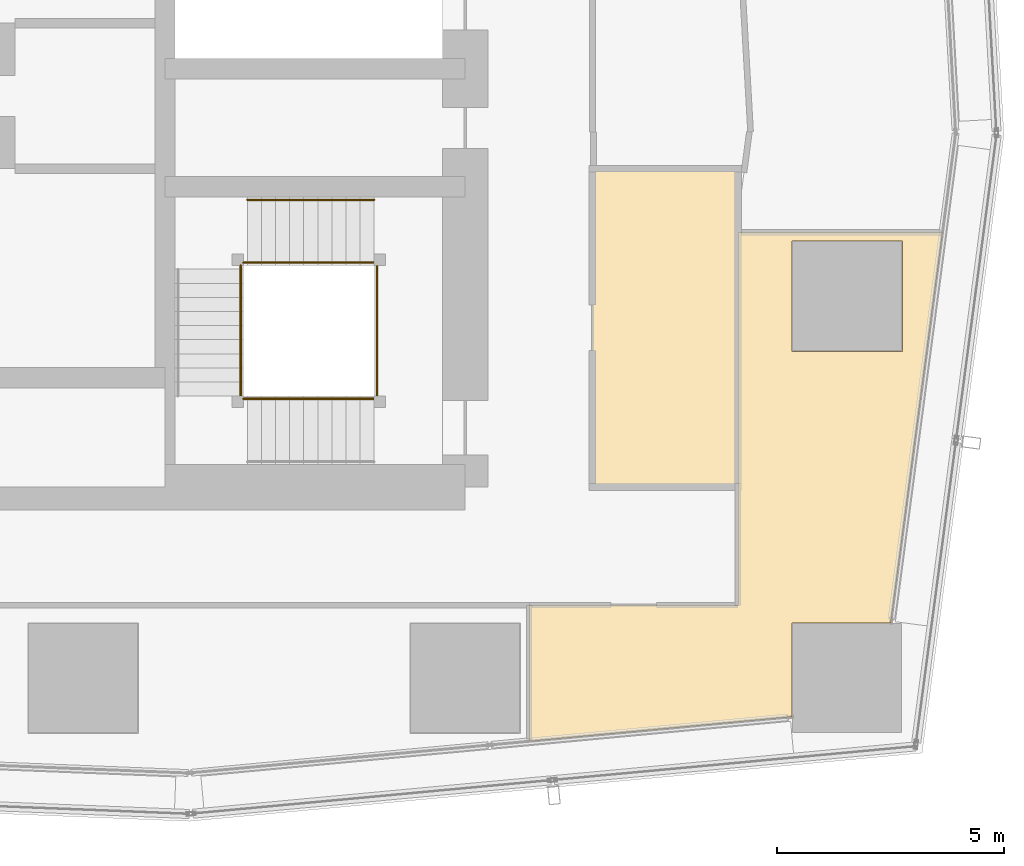
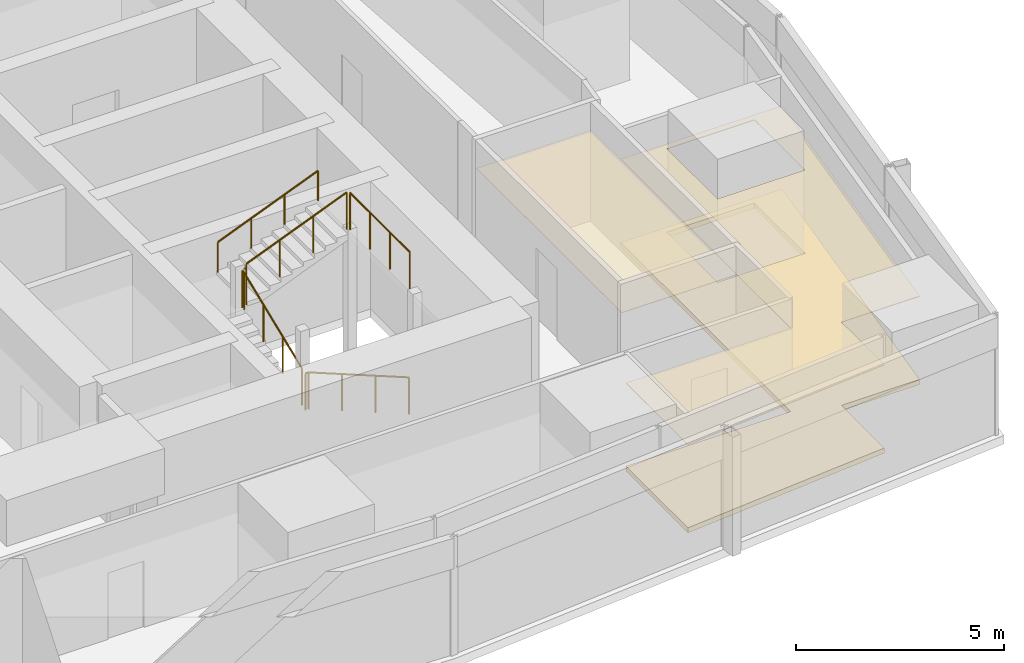
# One storey, part 35 of 37: 8 railings, 3 coverings.
"""IFC4 building model written with IfcOpenShell, lengths in metres."""

from ifc_helpers import new_model, si_unit, direction, frame, origin, origin_2d, place, context, subcontext, project, spatial, polyline, circle, outline, extrude, material, layer, layer_set, type_object, element, save


model = new_model("IFC4")

# Units and contexts
model_context = context("Model", 3, precision=1e-05, world=origin(), true_north=direction((0.0, 1.0)))
body_context = subcontext(model_context, "Body", "Model", "MODEL_VIEW")
ifc_project = project(units=[si_unit("LENGTHUNIT", "METRE"), si_unit("AREAUNIT", "SQUARE_METRE"), si_unit("VOLUMEUNIT", "CUBIC_METRE"), si_unit("PLANEANGLEUNIT", "RADIAN"), si_unit("MASSUNIT", "GRAM", prefix="KILO")], contexts=[model_context])

# Site, building, storey
site_placement = place(None, origin())
site = spatial("IfcSite", under=ifc_project, at=site_placement, CompositionType="ELEMENT")
building_placement = place(site_placement, origin())
building = spatial("IfcBuilding", under=site, at=building_placement, Name="Rekha Terrace Tower", CompositionType="ELEMENT")
storey_placement = place(building_placement, frame((0.0, 0.0, 228.949951171875)))
storey = spatial("IfcBuildingStorey", under=building, at=storey_placement, Name="L58", CompositionType="ELEMENT", Elevation=228.949951171875)

# Coverings
ifc_material_1 = material(Name="Mineral fibre tile in exposed grid", Category="finish")
ifc_layer_1 = layer(ifc_material_1, 0.02001953125)
ifc_layer_set_1 = layer_set([ifc_layer_1], Name="Mineral fibre tile in exposed grid")
covering_type_1 = type_object("IfcCoveringType", Name="CL1 600x1200 office grid ceiling", PredefinedType="CEILING", material=ifc_layer_set_1)
covering_1_placement = place(storey_placement, frame((0.0, 0.0, 2.580078125)))
element("IfcCovering", 1, at=covering_1_placement, inside=storey, type_object=covering_type_1, Name="Ceiling L58-03", PredefinedType="CEILING", context=body_context, shape_type="SweptSolid", body=[
    extrude(outline(polyline([(59.760009765625, 18.014892578125), (60.89697265625, 26.59912109375), (56.39990234375, 26.59912109375), (56.39990234375, 18.39990234375), (51.81201171875, 18.39990234375), (51.81201171875, 15.409912109375), (57.5849609375, 15.947998046875), (57.5849609375, 18.014892578125), (59.760009765625, 18.014892578125)]), holes=[polyline([(60.014892578125, 23.985107421875), (57.5849609375, 23.985107421875), (57.5849609375, 26.4150390625), (60.014892578125, 26.4150390625), (60.014892578125, 23.985107421875)])]), origin(), (0.0, 0.0, 1.0), 0.02001953125),
])
ifc_material_2 = material(Name="Fibre cement board", Category="finish")
ifc_layer_2 = layer(ifc_material_2, 0.014892578125)
ifc_layer_set_2 = layer_set([ifc_layer_2], Name="Fibre cement board")
covering_type_2 = type_object("IfcCoveringType", Name="CL2 moisture-resistant board ceiling", PredefinedType="CEILING", material=ifc_layer_set_2)
covering_2_placement = place(storey_placement, frame((0.0, 0.0, 2.5849609375)))
element("IfcCovering", 2, at=covering_2_placement, inside=storey, type_object=covering_type_2, Name="Ceiling L58-WCM2", PredefinedType="CEILING", context=body_context, shape_type="SweptSolid", body=[
    extrude(outline(polyline([(56.39990234375, 28.0), (53.199951171875, 28.0), (53.199951171875, 21.0), (56.39990234375, 21.0), (56.39990234375, 28.0)])), origin(), (0.0, 0.0, 1.0), 0.01513671875),
])

# Railings
ifc_material_3 = material(Name="Stainless steel balustrade", Category="steel")
railing_type_1 = type_object("IfcRailingType", Name="GR1 1100 stair guard", PredefinedType="GUARDRAIL", material=ifc_material_3)
railing_1_placement = place(storey_placement, frame((48.39990234375, 22.93994140625, 0.125)))
element("IfcRailing", 3, at=railing_1_placement, inside=storey, type_object=railing_type_1, Name="Guard ST3 L58 flight 1", PredefinedType="GUARDRAIL", context=body_context, shape_type="SweptSolid", body=[
    extrude(circle(Radius=0.02392578125, at=origin_2d()), frame((0.0, 0.0, 1.076171875), z_axis=(-0.927431937212, 0.0, 0.373991980981), x_axis=(0.0, -1.0, 0.0)), (0.0, 0.0, 1.0), 3.008056640625),
    extrude(circle(Radius=0.02099609375, at=origin_2d()), origin(), (0.0, 0.0, 1.0), 1.052001953125),
    extrude(circle(Radius=0.02099609375, at=origin_2d()), frame((-0.929931640625, 0.0, 0.375)), (0.0, 0.0, 1.0), 1.052001953125),
    extrude(circle(Radius=0.02099609375, at=origin_2d()), frame((-1.85986328125, 0.0, 0.75)), (0.0, 0.0, 1.0), 1.052001953125),
    extrude(circle(Radius=0.02099609375, at=origin_2d()), frame((-2.789794921875, 0.0, 1.125)), (0.0, 0.0, 1.0), 1.052001953125),
])
railing_2_placement = place(storey_placement, frame((45.465087890625, 23.0, 1.375)))
element("IfcRailing", 4, at=railing_2_placement, inside=storey, type_object=railing_type_1, Name="Guard ST3 L58 flight 2", PredefinedType="GUARDRAIL", context=body_context, shape_type="SweptSolid", body=[
    extrude(circle(Radius=0.02392578125, at=origin_2d()), frame((0.0, 0.0, 1.076171875), z_axis=(0.0, 0.927443287984, 0.373963831907), x_axis=(-1.0, 0.0, 0.0)), (0.0, 0.0, 1.0), 3.00830078125),
    extrude(circle(Radius=0.02099609375, at=origin_2d()), origin(), (0.0, 0.0, 1.0), 1.052001953125),
    extrude(circle(Radius=0.02099609375, at=origin_2d()), frame((0.0, 0.929931640625, 0.375)), (0.0, 0.0, 1.0), 1.052001953125),
    extrude(circle(Radius=0.02099609375, at=origin_2d()), frame((0.0, 1.860107421875, 0.75)), (0.0, 0.0, 1.0), 1.052001953125),
    extrude(circle(Radius=0.02099609375, at=origin_2d()), frame((0.0, 2.7900390625, 1.125)), (0.0, 0.0, 1.0), 1.052001953125),
])
railing_3_placement = place(storey_placement, frame((45.610107421875, 25.93505859375, 2.625)))
element("IfcRailing", 5, at=railing_3_placement, inside=storey, type_object=railing_type_1, Name="Guard ST3 L58 flight 3", PredefinedType="GUARDRAIL", context=body_context, shape_type="SweptSolid", body=[
    extrude(circle(Radius=0.02392578125, at=origin_2d()), frame((0.0, 0.0, 1.076171875), z_axis=(0.927431937212, 0.0, 0.373991980981), x_axis=(0.0, 1.0, 0.0)), (0.0, 0.0, 1.0), 3.008056640625),
    extrude(circle(Radius=0.02099609375, at=origin_2d()), origin(), (0.0, 0.0, 1.0), 1.052001953125),
    extrude(circle(Radius=0.02099609375, at=origin_2d()), frame((0.929931640625, 0.0, 0.375)), (0.0, 0.0, 1.0), 1.052001953125),
    extrude(circle(Radius=0.02099609375, at=origin_2d()), frame((1.85986328125, 0.0, 0.75)), (0.0, 0.0, 1.0), 1.052001953125),
    extrude(circle(Radius=0.02099609375, at=origin_2d()), frame((2.789794921875, 0.0, 1.125)), (0.0, 0.0, 1.0), 1.052001953125),
])
railing_4_placement = place(storey_placement, frame((45.610107421875, 22.93994140625, 1.25)))
element("IfcRailing", 6, at=railing_4_placement, inside=storey, type_object=railing_type_1, Name="Guard ST3 L58 landing 1", PredefinedType="GUARDRAIL", context=body_context, shape_type="SweptSolid", body=[
    extrude(circle(Radius=0.02392578125, at=origin_2d()), frame((0.0, 0.0, 1.076171875), z_axis=(-1.0, 0.0, 0.0), x_axis=(0.0, -1.0, 0.0)), (0.0, 0.0, 1.0), 0.085205078125),
    extrude(circle(Radius=0.02099609375, at=origin_2d()), origin(), (0.0, 0.0, 1.0), 1.052001953125),
    extrude(circle(Radius=0.02099609375, at=origin_2d()), frame((-0.085205078125, 0.0, 0.0)), (0.0, 0.0, 1.0), 1.052001953125),
])
railing_5_placement = place(storey_placement, frame((45.465087890625, 25.7900390625, 2.5)))
element("IfcRailing", 7, at=railing_5_placement, inside=storey, type_object=railing_type_1, Name="Guard ST3 L58 landing 2", PredefinedType="GUARDRAIL", context=body_context, shape_type="SweptSolid", body=[
    extrude(circle(Radius=0.02392578125, at=origin_2d()), frame((0.0, 0.0, 1.076171875), z_axis=(0.0, 1.0, 0.0), x_axis=(-1.0, 0.0, 0.0)), (0.0, 0.0, 1.0), 0.0849609375),
    extrude(circle(Radius=0.02099609375, at=origin_2d()), origin(), (0.0, 0.0, 1.0), 1.052001953125),
    extrude(circle(Radius=0.02099609375, at=origin_2d()), frame((0.0, 0.0849609375, 0.0)), (0.0, 0.0, 1.0), 1.052001953125),
])
railing_6_placement = place(storey_placement, frame((45.610107421875, 25.93505859375, 2.5)))
element("IfcRailing", 8, at=railing_6_placement, inside=storey, type_object=railing_type_1, Name="Guard ST3 L58 landing 3", PredefinedType="GUARDRAIL", context=body_context, shape_type="SweptSolid", body=[
    extrude(circle(Radius=0.02392578125, at=origin_2d()), frame((0.0, 0.0, 1.076171875), z_axis=(-1.0, 0.0, 0.0), x_axis=(0.0, -1.0, 0.0)), (0.0, 0.0, 1.0), 0.085205078125),
    extrude(circle(Radius=0.02099609375, at=origin_2d()), origin(), (0.0, 0.0, 1.0), 1.052001953125),
    extrude(circle(Radius=0.02099609375, at=origin_2d()), frame((-0.085205078125, 0.0, 0.0)), (0.0, 0.0, 1.0), 1.052001953125),
])
railing_7_placement = place(storey_placement, frame((48.4599609375, 23.0, 3.75)))
element("IfcRailing", 9, at=railing_7_placement, inside=storey, type_object=railing_type_1, Name="Guard ST3 L58 landing 4", PredefinedType="GUARDRAIL", context=body_context, shape_type="SweptSolid", body=[
    extrude(circle(Radius=0.02392578125, at=origin_2d()), frame((0.0, 0.0, 1.076171875), z_axis=(0.0, 1.0, 0.0), x_axis=(-1.0, 0.0, 0.0)), (0.0, 0.0, 1.0), 2.875),
    extrude(circle(Radius=0.02099609375, at=origin_2d()), origin(), (0.0, 0.0, 1.0), 1.052001953125),
    extrude(circle(Radius=0.02099609375, at=origin_2d()), frame((0.0, 0.958251953125, 0.0)), (0.0, 0.0, 1.0), 1.052001953125),
    extrude(circle(Radius=0.02099609375, at=origin_2d()), frame((0.0, 1.916748046875, 0.0)), (0.0, 0.0, 1.0), 1.052001953125),
    extrude(circle(Radius=0.02099609375, at=origin_2d()), frame((0.0, 2.875, 0.0)), (0.0, 0.0, 1.0), 1.052001953125),
])
ifc_material_4 = material(Name="Stainless steel tube", Category="steel")
railing_type_2 = type_object("IfcRailingType", Name="HR1 900 stair handrail", PredefinedType="HANDRAIL", material=ifc_material_4)
railing_8_placement = place(storey_placement, frame((45.610107421875, 27.31494140625, 2.625)))
element("IfcRailing", 10, at=railing_8_placement, inside=storey, type_object=railing_type_2, Name="Handrail ST3 L58 flight 3", PredefinedType="HANDRAIL", context=body_context, shape_type="SweptSolid", body=[
    extrude(circle(Radius=0.02392578125, at=origin_2d()), frame((0.0, 0.0, 0.8759765625), z_axis=(0.927431937212, 0.0, 0.373991980981), x_axis=(0.0, 1.0, 0.0)), (0.0, 0.0, 1.0), 3.008056640625),
    extrude(circle(Radius=0.02099609375, at=origin_2d()), origin(), (0.0, 0.0, 1.0), 0.851806640625),
    extrude(circle(Radius=0.02099609375, at=origin_2d()), frame((0.929931640625, 0.0, 0.375)), (0.0, 0.0, 1.0), 0.851806640625),
    extrude(circle(Radius=0.02099609375, at=origin_2d()), frame((1.85986328125, 0.0, 0.75)), (0.0, 0.0, 1.0), 0.851806640625),
    extrude(circle(Radius=0.02099609375, at=origin_2d()), frame((2.789794921875, 0.0, 1.125)), (0.0, 0.0, 1.0), 0.851806640625),
])

# Covering
ifc_material_5 = material(Name="Calcium sulphate panels on steel pedestals", Category="steel")
ifc_layer_3 = layer(ifc_material_5, 0.14990234375)
ifc_layer_set_3 = layer_set([ifc_layer_3], Name="Calcium sulphate panels on steel pedestals")
covering_type_3 = type_object("IfcCoveringType", Name="RF1 150 raised access floor", PredefinedType="FLOORING", material=ifc_layer_set_3)
covering_3_placement = place(storey_placement, origin())
element("IfcCovering", 11, at=covering_3_placement, inside=storey, type_object=covering_type_3, Name="Raised floor L58-03", PredefinedType="FLOORING", context=body_context, shape_type="SweptSolid", body=[
    extrude(outline(polyline([(59.760009765625, 18.014892578125), (60.89697265625, 26.59912109375), (56.39990234375, 26.59912109375), (56.39990234375, 18.39990234375), (51.81201171875, 18.39990234375), (51.81201171875, 15.409912109375), (57.5849609375, 15.947998046875), (57.5849609375, 18.014892578125), (59.760009765625, 18.014892578125)]), holes=[polyline([(60.014892578125, 23.985107421875), (57.5849609375, 23.985107421875), (57.5849609375, 26.4150390625), (60.014892578125, 26.4150390625), (60.014892578125, 23.985107421875)])]), origin(), (0.0, 0.0, 1.0), 0.150146484375),
])

save(model, "model.ifc")
